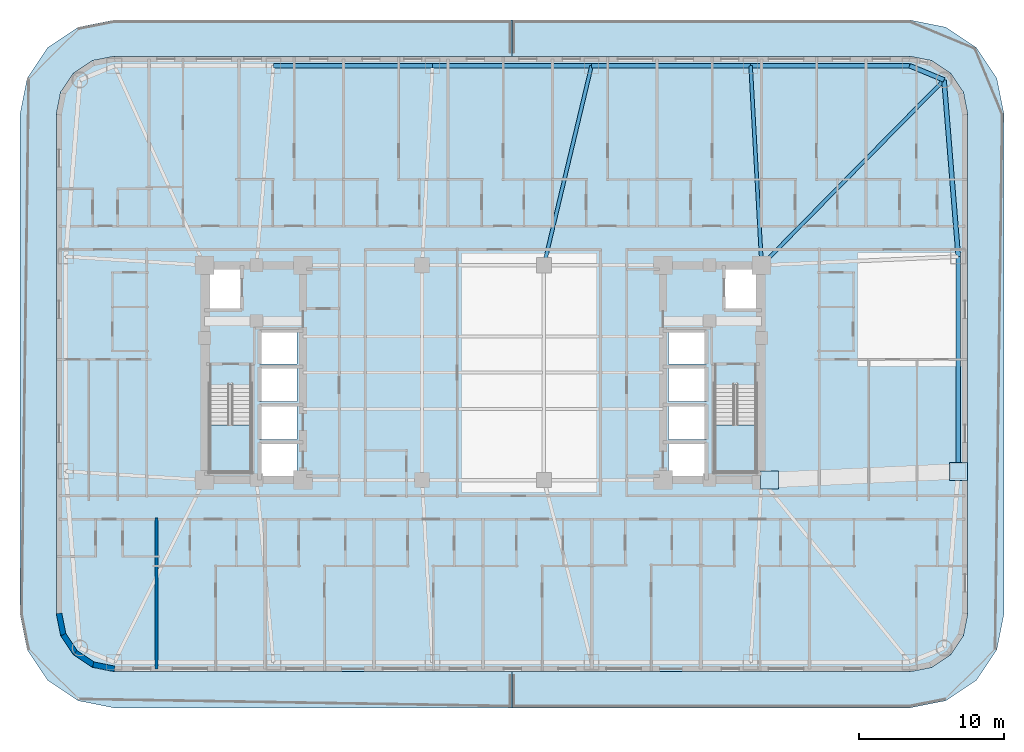
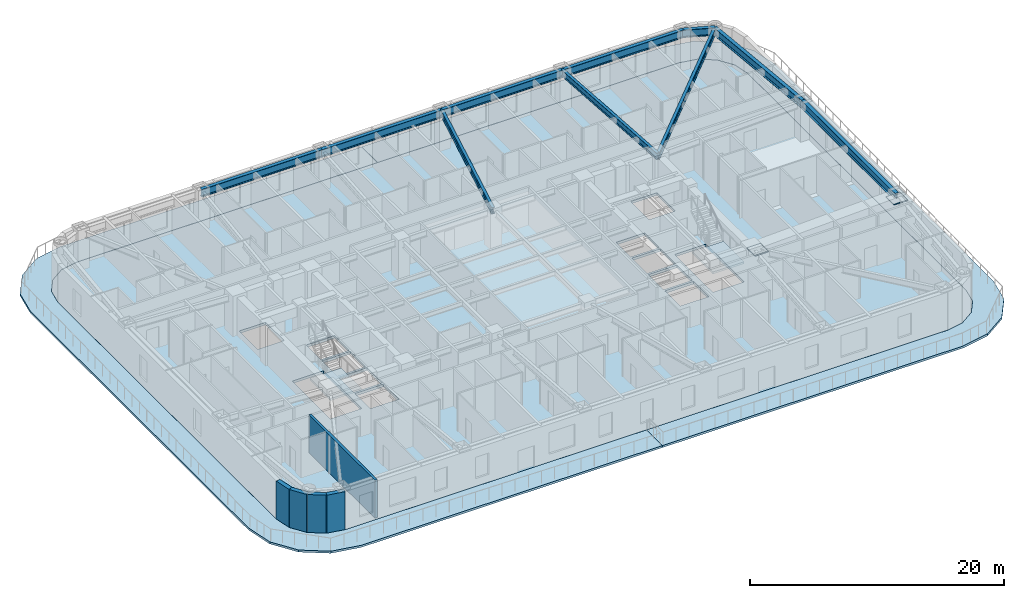
# One storey, part 2 of 16: 10 beams, 5 slabs, 5 walls, 2 plates, 2 elements without a shape of their own.
"""IFC4 building model written with IfcOpenShell, lengths in metres."""

from ifc_helpers import new_model, si_unit, direction, frame, frame_2d, origin, origin_2d, place, context, subcontext, project, spatial, polyline, rectangle, i_section, outline, extrude, material, layer, layer_set, material_profile, profile_set, type_object, element, aggregate, save


model = new_model("IFC4")

# Units and contexts
model_context = context("Model", 3, precision=1e-05, world=origin(), true_north=direction((0.0, 1.0)))
body_context = subcontext(model_context, "Body", "Model", "MODEL_VIEW")
ifc_project = project(units=[si_unit("LENGTHUNIT", "METRE"), si_unit("AREAUNIT", "SQUARE_METRE"), si_unit("VOLUMEUNIT", "CUBIC_METRE"), si_unit("PLANEANGLEUNIT", "RADIAN"), si_unit("MASSUNIT", "GRAM", prefix="KILO")], contexts=[model_context])

# Site, building, storey
site_placement = place(None, origin())
site = spatial("IfcSite", under=ifc_project, at=site_placement, CompositionType="ELEMENT")
building_placement = place(site_placement, origin())
building = spatial("IfcBuilding", under=site, at=building_placement, Name="Voryun Gate Residences", CompositionType="ELEMENT")
storey_placement = place(building_placement, frame((0.0, 0.0, 113.10009765625)))
storey = spatial("IfcBuildingStorey", under=building, at=storey_placement, Name="L27", CompositionType="ELEMENT", Elevation=113.10009765625)

# Beams
ifc_material_1 = material(Name="Steel SM355", Category="steel")
ifc_material_profile_1 = material_profile(ifc_material_1, i_section(OverallWidth=0.320068359375, OverallDepth=0.75, WebThickness=0.01611328125, FlangeThickness=0.028076171875, FilletRadius=0.01806640625, at=origin_2d()), Name="H-750x320x16x28")
ifc_profile_set_1 = profile_set([ifc_material_profile_1], Name="Steel SM355")
beam_type_1 = type_object("IfcBeamType", Name="BM_EXO_SPANDREL_L", PredefinedType="SPANDREL", material=ifc_profile_set_1)
beam_1_placement = place(storey_placement, frame((32.75, -6.798095703125, 3.27490234375), z_axis=(0.0, 1.0, 0.0), x_axis=(-1.0, 0.0, 0.0)))
element("IfcBeam", 1, at=beam_1_placement, inside=storey, type_object=beam_type_1, Name="BM-L27-SPAND-08", PredefinedType="SPANDREL", context=body_context, shape_type="SweptSolid", body=[
    extrude(i_section(OverallWidth=0.320068359375, OverallDepth=0.75, WebThickness=0.01611328125, FlangeThickness=0.028076171875, FilletRadius=0.01806640625, at=origin_2d()), origin(), (0.0, 0.0, 1.0), 14.796142578125),
])
beam_2_placement = place(storey_placement, frame((32.75, 7.998046875, 3.27490234375), z_axis=(-0.080359517973, 0.996765944378, 0.0), x_axis=(-0.996765944378, -0.080359517973, 0.0)))
element("IfcBeam", 2, at=beam_2_placement, inside=storey, type_object=beam_type_1, Name="BM-L27-SPAND-09", PredefinedType="SPANDREL", context=body_context, shape_type="SweptSolid", body=[
    extrude(i_section(OverallWidth=0.320068359375, OverallDepth=0.75, WebThickness=0.01611328125, FlangeThickness=0.028076171875, FilletRadius=0.01806640625, at=origin_2d()), origin(), (0.0, 0.0, 1.0), 12.210205078125),
])
beam_3_placement = place(storey_placement, frame((31.768798828125, 20.168701171875, 3.27490234375), z_axis=(-0.923883376753, 0.382674151414, 0.0), x_axis=(-0.382674151414, -0.923883376753, 0.0)))
element("IfcBeam", 3, at=beam_3_placement, inside=storey, type_object=beam_type_1, Name="BM-L27-SPAND-10", PredefinedType="SPANDREL", context=body_context, shape_type="SweptSolid", body=[
    extrude(i_section(OverallWidth=0.320068359375, OverallDepth=0.75, WebThickness=0.01611328125, FlangeThickness=0.028076171875, FilletRadius=0.01806640625, at=origin_2d()), origin(), (0.0, 0.0, 1.0), 2.56396484375),
])
for number, where, z_axis, x_axis, name in (
    (4, (29.39990234375, 21.14990234375, 3.27490234375), (-1.0, 0.0, 0.0), (0.0, -1.0, 0.0), "BM-L27-SPAND-11"),
    (5, (18.43994140625, 21.14990234375, 3.27490234375), (-1.0, 0.0, 0.0), (0.0, -1.0, 0.0), "BM-L27-SPAND-12"),
    (6, (7.47998046875, 21.14990234375, 3.27490234375), (-1.0, 0.0, 0.0), (0.0, -1.0, 0.0), "BM-L27-SPAND-13"),
    (7, (-3.47998046875, 21.14990234375, 3.27490234375), (-1.0, 0.0, 0.0), (0.0, -1.0, 0.0), "BM-L27-SPAND-14"),
):
    element("IfcBeam", number, at=place(storey_placement, frame(where, z_axis=z_axis, x_axis=x_axis)), inside=storey, type_object=beam_type_1, Name=name, PredefinedType="SPANDREL", context=body_context, shape_type="SweptSolid", body=[
        extrude(i_section(OverallWidth=0.320068359375, OverallDepth=0.75, WebThickness=0.01611328125, FlangeThickness=0.028076171875, FilletRadius=0.01806640625, at=origin_2d()), origin(), (0.0, 0.0, 1.0), 10.9599609375),
    ])
ifc_material_2 = material(Name="Steel SM355", Category="steel")
ifc_material_profile_2 = material_profile(ifc_material_2, i_section(OverallWidth=0.25, OverallDepth=0.60009765625, WebThickness=0.011962890625, FlangeThickness=0.02197265625, FilletRadius=0.01806640625, at=origin_2d()), Name="H-600x250x12x22")
ifc_profile_set_2 = profile_set([ifc_material_profile_2], Name="Steel SM355")
beam_type_2 = type_object("IfcBeamType", Name="BM_GIRD_600", PredefinedType="USERDEFINED", material=ifc_profile_set_2)
beam_4_placement = place(storey_placement, frame((19.199951171875, 7.39990234375, 3.349853515625), z_axis=(0.701504829324, 0.712664699866, 0.0), x_axis=(-0.712664699866, 0.701504829324, 0.0)))
element("IfcBeam", 8, at=beam_4_placement, inside=storey, type_object=beam_type_2, Name="BM-L27-RAD-CNE", ObjectType="GIRDER", PredefinedType="USERDEFINED", context=body_context, shape_type="SweptSolid", body=[
    extrude(i_section(OverallWidth=0.25, OverallDepth=0.60009765625, WebThickness=0.011962890625, FlangeThickness=0.02197265625, FilletRadius=0.01806640625, at=origin_2d()), origin(), (0.0, 0.0, 1.0), 17.9169921875),
])
beam_5_placement = place(storey_placement, frame((19.199951171875, 7.39990234375, 3.349853515625), z_axis=(-0.055189196078, 0.9984759149, 0.0), x_axis=(-0.9984759149, -0.055189196078, 0.0)))
element("IfcBeam", 9, at=beam_5_placement, inside=storey, type_object=beam_type_2, Name="BM-L27-RAD-N2", ObjectType="GIRDER", PredefinedType="USERDEFINED", context=body_context, shape_type="SweptSolid", body=[
    extrude(i_section(OverallWidth=0.25, OverallDepth=0.60009765625, WebThickness=0.011962890625, FlangeThickness=0.02197265625, FilletRadius=0.01806640625, at=origin_2d()), origin(), (0.0, 0.0, 1.0), 13.77099609375),
])
beam_6_placement = place(storey_placement, frame((4.199951171875, 7.39990234375, 3.349853515625), z_axis=(0.232036902087, 0.972706983665, 0.0), x_axis=(-0.972706983665, 0.232036902087, 0.0)))
element("IfcBeam", 10, at=beam_6_placement, inside=storey, type_object=beam_type_2, Name="BM-L27-RAD-N3", ObjectType="GIRDER", PredefinedType="USERDEFINED", context=body_context, shape_type="SweptSolid", body=[
    extrude(i_section(OverallWidth=0.25, OverallDepth=0.60009765625, WebThickness=0.011962890625, FlangeThickness=0.02197265625, FilletRadius=0.01806640625, at=origin_2d()), origin(), (0.0, 0.0, 1.0), 14.1357421875),
])

# Plates
ifc_material_3 = material(Name="Steel SM355", Category="steel")
ifc_layer_1 = layer(ifc_material_3, 0.02490234375, Name="PLT_END_CAP_25")
ifc_layer_set_1 = layer_set([ifc_layer_1], Name="Steel SM355")
plate_type = type_object("IfcPlateType", Name="PLT_END_CAP_25", PredefinedType="USERDEFINED", material=ifc_layer_set_1)
for number, where, z_axis, x_axis, name in (
    (11, (19.75, -7.39990234375, 3.059814453125), (0.0, 0.0, 1.0), (1.0, 0.0, 0.0), "L27 Hollow Member End-Cap Plate EC-380"),
    (12, (32.75, -6.798095703125, 3.059814453125), (0.0, 0.0, 1.0), (1.0, 0.0, 0.0), "L27 Hollow Member End-Cap Plate EC-381"),
):
    element("IfcPlate", number, at=place(storey_placement, frame(where, z_axis=z_axis, x_axis=x_axis)), inside=storey, type_object=plate_type, Name=name, ObjectType="BASE_PLATE", PredefinedType="USERDEFINED", context=body_context, shape_type="SweptSolid", body=[
        extrude(rectangle(XDim=1.239990234375, YDim=1.239990234375, at=origin_2d()), origin(), (0.0, 0.0, 1.0), 0.080078125),
    ])

# Slabs
ifc_material_4 = material(Name="Concrete C40/50", Category="concrete")
ifc_layer_2 = layer(ifc_material_4, 0.199951171875, Name="SLB_BALCONY_200")
ifc_layer_set_2 = layer_set([ifc_layer_2], Name="Concrete C40/50")
slab_type_1 = type_object("IfcSlabType", Name="SLB_BALCONY_200", PredefinedType="FLOOR", material=ifc_layer_set_2)
slab_1_placement = place(storey_placement, frame((0.0, 0.0, -0.2001953125)))
element("IfcSlab", 13, at=slab_1_placement, inside=storey, type_object=slab_type_1, Name="L27 External Residential Balcony WEST", PredefinedType="FLOOR", context=body_context, shape_type="SweptSolid", body=[
    extrude(outline(polyline([(-27.887451171875, -22.605224609375), (-29.99609375, -21.1962890625), (-31.4052734375, -19.08740234375), (-31.89990234375, -16.60009765625), (-31.89990234375, 17.800048828125), (-31.4052734375, 20.287353515625), (-29.99609375, 22.396240234375), (-27.887451171875, 23.80517578125), (-25.39990234375, 24.300048828125), (1.989990234375, 24.300048828125), (1.989990234375, 21.802001953125), (-25.39990234375, 21.802001953125), (-25.400146484375, 21.802001953125), (-25.400390625, 21.802001953125), (-26.93115234375, 21.49755859375), (-26.931396484375, 21.497314453125), (-26.931396484375, 21.497314453125), (-26.931640625, 21.497314453125), (-26.931884765625, 21.4970703125), (-28.2294921875, 20.630126953125), (-28.229736328125, 20.6298828125), (-28.229736328125, 20.6298828125), (-28.22998046875, 20.629638671875), (-28.22998046875, 20.629638671875), (-29.09716796875, 19.331787109375), (-29.09716796875, 19.331787109375), (-29.097412109375, 19.33154296875), (-29.097412109375, 19.331298828125), (-29.097412109375, 19.3310546875), (-29.40185546875, 17.80029296875), (-29.402099609375, 17.80029296875), (-29.402099609375, 17.800048828125), (-29.402099609375, -16.60009765625), (-29.402099609375, -16.60009765625), (-29.40185546875, -16.600341796875), (-29.097412109375, -18.131103515625), (-29.097412109375, -18.13134765625), (-29.097412109375, -18.131591796875), (-29.09716796875, -18.131591796875), (-29.09716796875, -18.1318359375), (-28.22998046875, -19.429443359375), (-28.22998046875, -19.4296875), (-28.229736328125, -19.429931640625), (-28.229736328125, -19.429931640625), (-28.2294921875, -19.43017578125), (-26.931884765625, -20.297119140625), (-26.931640625, -20.29736328125), (-26.931396484375, -20.29736328125), (-26.931396484375, -20.29736328125), (-26.93115234375, -20.29736328125), (-25.400390625, -20.60205078125), (-25.400146484375, -20.60205078125), (-25.39990234375, -20.60205078125), (1.989990234375, -20.60205078125), (1.989990234375, -23.10009765625), (-25.39990234375, -23.10009765625), (-27.887451171875, -22.605224609375)])), origin(), (0.0, 0.0, 1.0), 0.2001953125),
])
slab_2_placement = place(storey_placement, frame((0.0, 0.0, -0.2001953125)))
element("IfcSlab", 14, at=slab_2_placement, inside=storey, type_object=slab_type_1, Name="L27 External Residential Balcony EAST", PredefinedType="FLOOR", context=body_context, shape_type="SweptSolid", body=[
    extrude(outline(polyline([(29.39990234375, 24.300048828125), (31.887451171875, 23.80517578125), (33.99609375, 22.396240234375), (35.4052734375, 20.287353515625), (35.89990234375, 17.800048828125), (35.89990234375, -16.60009765625), (35.4052734375, -19.08740234375), (33.99609375, -21.1962890625), (31.887451171875, -22.605224609375), (29.39990234375, -23.10009765625), (2.010009765625, -23.10009765625), (2.010009765625, -20.60205078125), (29.39990234375, -20.60205078125), (29.400146484375, -20.60205078125), (29.400390625, -20.60205078125), (30.93115234375, -20.29736328125), (30.931396484375, -20.29736328125), (30.931396484375, -20.29736328125), (30.931640625, -20.29736328125), (30.931884765625, -20.297119140625), (32.2294921875, -19.43017578125), (32.229736328125, -19.429931640625), (32.229736328125, -19.429931640625), (32.22998046875, -19.4296875), (32.22998046875, -19.429443359375), (33.09716796875, -18.1318359375), (33.09716796875, -18.131591796875), (33.097412109375, -18.131591796875), (33.097412109375, -18.13134765625), (33.097412109375, -18.131103515625), (33.40185546875, -16.600341796875), (33.402099609375, -16.60009765625), (33.402099609375, -16.60009765625), (33.402099609375, 17.800048828125), (33.402099609375, 17.80029296875), (33.40185546875, 17.80029296875), (33.097412109375, 19.3310546875), (33.097412109375, 19.331298828125), (33.097412109375, 19.33154296875), (33.09716796875, 19.331787109375), (33.09716796875, 19.331787109375), (32.22998046875, 20.629638671875), (32.22998046875, 20.629638671875), (32.229736328125, 20.6298828125), (32.229736328125, 20.6298828125), (32.2294921875, 20.630126953125), (30.931884765625, 21.4970703125), (30.931640625, 21.497314453125), (30.931396484375, 21.497314453125), (30.931396484375, 21.497314453125), (30.93115234375, 21.49755859375), (29.400390625, 21.802001953125), (29.400146484375, 21.802001953125), (29.39990234375, 21.802001953125), (2.010009765625, 21.802001953125), (2.010009765625, 24.300048828125), (29.39990234375, 24.300048828125)])), origin(), (0.0, 0.0, 1.0), 0.2001953125),
])
ifc_material_5 = material(Name="Concrete C40/50", Category="concrete")
ifc_layer_3 = layer(ifc_material_5, 0.25, Name="SLB_RES_250")
ifc_layer_set_3 = layer_set([ifc_layer_3], Name="Concrete C40/50")
slab_type_2 = type_object("IfcSlabType", Name="SLB_RES_250", PredefinedType="FLOOR", material=ifc_layer_set_3)
slab_3_placement = place(storey_placement, frame((0.0, 0.0, -0.25)))
element("IfcSlab", 15, at=slab_3_placement, inside=storey, type_object=slab_type_2, Name="L27 Structural Floor Slab", PredefinedType="FLOOR", context=body_context, shape_type="SweptSolid", body=[
    extrude(outline(polyline([(-25.39990234375, -20.60009765625), (-26.9306640625, -20.29541015625), (-28.228515625, -19.428466796875), (-29.095458984375, -18.130615234375), (-29.39990234375, -16.60009765625), (-29.39990234375, 17.800048828125), (-29.095458984375, 19.330810546875), (-28.228515625, 20.62841796875), (-26.9306640625, 21.49560546875), (-25.39990234375, 21.800048828125), (29.39990234375, 21.800048828125), (30.9306640625, 21.49560546875), (32.228515625, 20.62841796875), (33.095458984375, 19.330810546875), (33.39990234375, 17.800048828125), (33.39990234375, -16.60009765625), (33.095458984375, -18.130615234375), (32.228515625, -19.428466796875), (30.9306640625, -20.29541015625), (29.39990234375, -20.60009765625), (-25.39990234375, -20.60009765625)]), holes=[polyline([(-12.800048828125, -4.800048828125), (-15.39990234375, -4.800048828125), (-15.39990234375, -7.199951171875), (-12.800048828125, -7.199951171875), (-12.800048828125, -4.800048828125)]), polyline([(-18.824951171875, -6.85009765625), (-15.97509765625, -6.85009765625), (-15.97509765625, -0.840087890625), (-18.824951171875, -0.840087890625), (-18.824951171875, -6.85009765625)]), polyline([(-12.800048828125, -4.60009765625), (-12.800048828125, -2.199951171875), (-15.39990234375, -2.199951171875), (-15.39990234375, -4.60009765625), (-12.800048828125, -4.60009765625)]), polyline([(-12.800048828125, 0.39990234375), (-15.39990234375, 0.39990234375), (-15.39990234375, -2.0), (-12.800048828125, -2.0), (-12.800048828125, 0.39990234375)]), polyline([(-12.800048828125, 0.60009765625), (-12.800048828125, 2.89990234375), (-15.39990234375, 2.89990234375), (-15.39990234375, 0.60009765625), (-12.800048828125, 0.60009765625)]), polyline([(-16.60009765625, 4.300048828125), (-16.60009765625, 7.199951171875), (-19.0, 7.199951171875), (-19.0, 4.300048828125), (-16.60009765625, 4.300048828125)]), polyline([(15.39990234375, -4.800048828125), (12.800048828125, -4.800048828125), (12.800048828125, -7.199951171875), (15.39990234375, -7.199951171875), (15.39990234375, -4.800048828125)]), polyline([(15.97509765625, -6.85009765625), (18.824951171875, -6.85009765625), (18.824951171875, -0.840087890625), (15.97509765625, -0.840087890625), (15.97509765625, -6.85009765625)]), polyline([(15.39990234375, -4.60009765625), (15.39990234375, -2.199951171875), (12.800048828125, -2.199951171875), (12.800048828125, -4.60009765625), (15.39990234375, -4.60009765625)]), polyline([(15.39990234375, 0.39990234375), (12.800048828125, 0.39990234375), (12.800048828125, -2.0), (15.39990234375, -2.0), (15.39990234375, 0.39990234375)]), polyline([(15.39990234375, 0.60009765625), (15.39990234375, 2.89990234375), (12.800048828125, 2.89990234375), (12.800048828125, 0.60009765625), (15.39990234375, 0.60009765625)]), polyline([(19.0, 4.300048828125), (19.0, 7.199951171875), (16.60009765625, 7.199951171875), (16.60009765625, 4.300048828125), (19.0, 4.300048828125)])]), origin(), (0.0, 0.0, 1.0), 0.25),
])

# Stair, slab
ifc_material_6 = material(Name="Concrete C40/50", Category="concrete")
stair_type = type_object("IfcStairType", Name="STR_CORE_DOGLEG_1350", PredefinedType="HALF_TURN_STAIR", material=ifc_material_6)
stair_1_placement = place(storey_placement, origin())
stair_1 = element("IfcStair", 16, at=stair_1_placement, inside=storey, type_object=stair_type, Name="L27 Special Escape Stair ST-W1", PredefinedType="HALF_TURN_STAIR")
ifc_material_7 = material(Name="Concrete C40/50", Category="concrete")
ifc_layer_4 = layer(ifc_material_7, 0.199951171875, Name="SLB_STAIR_LANDING_200")
ifc_layer_set_4 = layer_set([ifc_layer_4], Name="Concrete C40/50")
slab_type_3 = type_object("IfcSlabType", Name="SLB_STAIR_LANDING_200", PredefinedType="LANDING", material=ifc_layer_set_4)
slab_4_placement = place(storey_placement, frame((0.0, 0.0, 1.75)))
slab_4 = element("IfcSlab", 17, at=slab_4_placement, type_object=slab_type_3, Name="ST-W1 landing 1", PredefinedType="LANDING", context=body_context, shape_type="SweptSolid", body=[
    extrude(outline(polyline([(-18.824951171875, -3.60009765625), (-18.824951171875, -6.85009765625), (-15.97509765625, -6.85009765625), (-15.97509765625, -3.60009765625), (-18.824951171875, -3.60009765625)])), origin(), (0.0, 0.0, 1.0), 0.199951171875),
])
aggregate(stair_1, [slab_4])

stair_2_placement = place(storey_placement, origin())
stair_2 = element("IfcStair", 18, at=stair_2_placement, inside=storey, type_object=stair_type, Name="L27 Special Escape Stair ST-E1", PredefinedType="HALF_TURN_STAIR")
slab_5_placement = place(storey_placement, frame((0.0, 0.0, 1.75)))
slab_5 = element("IfcSlab", 19, at=slab_5_placement, type_object=slab_type_3, Name="ST-E1 landing 1", PredefinedType="LANDING", context=body_context, shape_type="SweptSolid", body=[
    extrude(outline(polyline([(15.97509765625, -3.60009765625), (15.97509765625, -6.85009765625), (18.824951171875, -6.85009765625), (18.824951171875, -3.60009765625), (15.97509765625, -3.60009765625)])), origin(), (0.0, 0.0, 1.0), 0.199951171875),
])
aggregate(stair_2, [slab_5])

# Walls
ifc_material_8 = material(Name="Granite masonry", Category="masonry")
ifc_layer_5 = layer(ifc_material_8, 0.3798828125, Name="W_EXT_GRANITE_380")
ifc_layer_set_5 = layer_set([ifc_layer_5], Name="Granite masonry")
wall_type_1 = type_object("IfcWallType", Name="W_EXT_GRANITE_380", PredefinedType="ELEMENTEDWALL", material=ifc_layer_set_5)
wall_1_placement = place(storey_placement, frame((-25.38134765625, -20.409912109375, 0.0), z_axis=(0.0, 0.0, 1.0), x_axis=(-0.980786132421, 0.195086038585, 0.0)))
element("IfcWall", 20, at=wall_1_placement, inside=storey, type_object=wall_type_1, Name="Exterior wall WEXT-L27-02", PredefinedType="ELEMENTEDWALL", context=body_context, shape_type="SweptSolid", body=[
    extrude(rectangle(XDim=1.504150390625, YDim=0.3798828125, at=frame_2d((0.751953125, 0.0))), origin(), (0.0, 0.0, 1.0), 3.64990234375),
])
wall_2_placement = place(storey_placement, frame((-26.856689453125, -20.116455078125, 0.0), z_axis=(0.0, 0.0, 1.0), x_axis=(-0.831468045563, 0.555572577804, 0.0)))
element("IfcWall", 21, at=wall_2_placement, inside=storey, type_object=wall_type_1, Name="Exterior wall WEXT-L27-03", PredefinedType="ELEMENTEDWALL", context=body_context, shape_type="SweptSolid", body=[
    extrude(rectangle(XDim=1.48486328125, YDim=0.3798828125, at=frame_2d((0.742431640625, 0.0))), origin(), (0.0, 0.0, 1.0), 3.64990234375),
])
wall_3_placement = place(storey_placement, frame((-28.09130859375, -19.29150390625, 0.0), z_axis=(0.0, 0.0, 1.0), x_axis=(-0.555610286119, 0.831442848281, 0.0)))
element("IfcWall", 22, at=wall_3_placement, inside=storey, type_object=wall_type_1, Name="Exterior wall WEXT-L27-04", PredefinedType="ELEMENTEDWALL", context=body_context, shape_type="SweptSolid", body=[
    extrude(rectangle(XDim=1.485107421875, YDim=0.3798828125, at=frame_2d((0.74267578125, 0.0))), origin(), (0.0, 0.0, 1.0), 3.64990234375),
])
wall_4_placement = place(storey_placement, frame((-28.91650390625, -18.056640625, 0.0), z_axis=(0.0, 0.0, 1.0), x_axis=(-0.195086038585, 0.980786132421, 0.0)))
element("IfcWall", 23, at=wall_4_placement, inside=storey, type_object=wall_type_1, Name="Exterior wall WEXT-L27-05", PredefinedType="ELEMENTEDWALL", context=body_context, shape_type="SweptSolid", body=[
    extrude(rectangle(XDim=1.504150390625, YDim=0.3798828125, at=frame_2d((0.751953125, 0.0))), origin(), (0.0, 0.0, 1.0), 3.64990234375),
])
ifc_material_9 = material(Name="Concrete C40/50", Category="concrete")
ifc_layer_6 = layer(ifc_material_9, 0.219970703125, Name="W_PARTY_ACOUSTIC_220")
ifc_layer_set_6 = layer_set([ifc_layer_6], Name="Concrete C40/50")
wall_type_2 = type_object("IfcWallType", Name="W_PARTY_ACOUSTIC_220", PredefinedType="PARTITIONING", material=ifc_layer_set_6)
wall_5_placement = place(storey_placement, frame((-22.5, -20.409912109375, 0.0), z_axis=(0.0, 0.0, 1.0), x_axis=(0.0, 1.0, 0.0)))
element("IfcWall", 24, at=wall_5_placement, inside=storey, type_object=wall_type_2, Name="Partition wall WP-L27-SPTY-1", PredefinedType="PARTITIONING", context=body_context, shape_type="SweptSolid", body=[
    extrude(rectangle(XDim=10.389892578125, YDim=0.219970703125, at=frame_2d((5.19482421875, 0.0))), origin(), (0.0, 0.0, 1.0), 3.64990234375),
])

save(model, "model.ifc")
